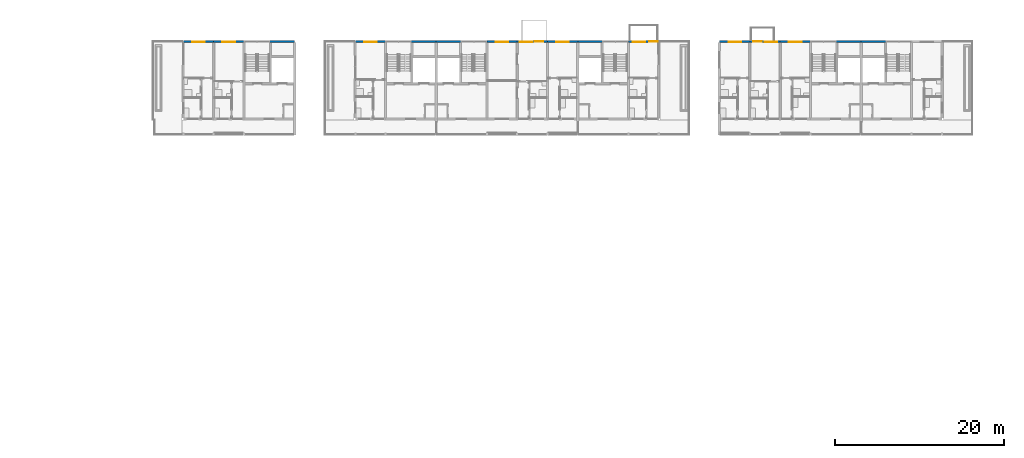
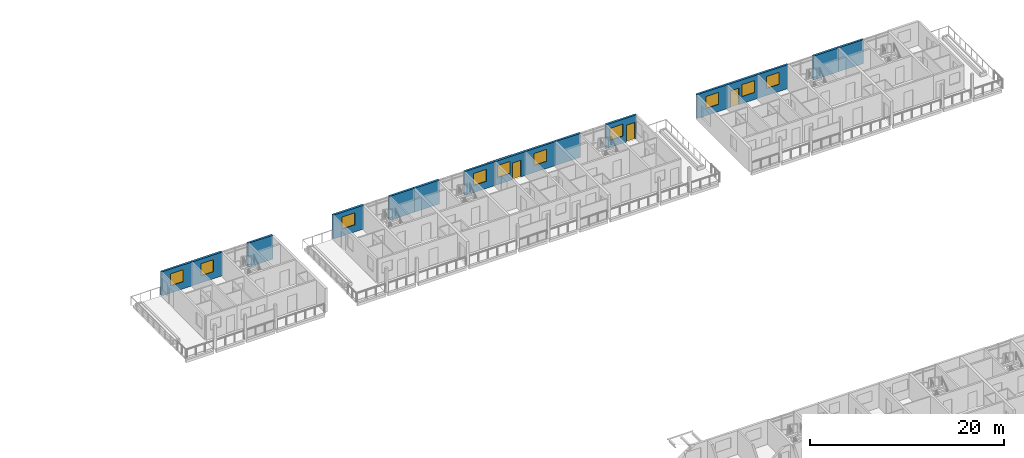
# One storey, part 58 of 94: 16 walls, 10 windows, 3 doors, 13 openings.
"""IFC4 building model written with IfcOpenShell, lengths in metres."""

from ifc_helpers import new_model, si_unit, direction, frame, frame_2d, origin, place, context, subcontext, project, spatial, rectangle, extrude, material, layer, layer_set, type_object, element, fill, save


model = new_model("IFC4")

# Units and contexts
model_context = context("Model", 3, precision=1e-05, world=origin(), true_north=direction((0.0, 1.0)))
body_context = subcontext(model_context, "Body", "Model", "MODEL_VIEW")
ifc_project = project(units=[si_unit("LENGTHUNIT", "METRE"), si_unit("AREAUNIT", "SQUARE_METRE"), si_unit("VOLUMEUNIT", "CUBIC_METRE"), si_unit("PLANEANGLEUNIT", "RADIAN"), si_unit("MASSUNIT", "GRAM", prefix="KILO")], contexts=[model_context])

# Site, building, storey
site_placement = place(None, origin())
site = spatial("IfcSite", under=ifc_project, at=site_placement, CompositionType="ELEMENT")
building_placement = place(site_placement, origin())
building = spatial("IfcBuilding", under=site, at=building_placement, Name="Ridgestep Commons", CompositionType="ELEMENT")
storey_placement = place(building_placement, frame((0.0, 0.0, 24.0)))
storey = spatial("IfcBuildingStorey", under=building, at=storey_placement, Name="L08", CompositionType="ELEMENT", Elevation=24.0)

# Wall, opening, window
ifc_material_1 = material(Name="Precast concrete C40/50", Category="concrete")
ifc_layer = layer(ifc_material_1, 0.25)
ifc_layer_set = layer_set([ifc_layer], Name="North facade panel 250")
wall_type = type_object("IfcWallType", Name="North facade panel 250", PredefinedType="SOLIDWALL", material=ifc_layer_set)
wall_1_placement = place(storey_placement, frame((150.39990234375, 77.125, 0.0), z_axis=(0.0, 0.0, 1.0), x_axis=(1.0, 0.0, 0.0)))
wall_1 = element("IfcWall", 1, at=wall_1_placement, inside=storey, type_object=wall_type, Name="North panel C1T2 L08", PredefinedType="SOLIDWALL", context=body_context, shape_type="SweptSolid", body=[
    extrude(rectangle(XDim=3.60009765625, YDim=0.25, at=frame_2d((1.800048828125, 0.0))), origin(), (0.0, 0.0, 1.0), 3.0),
])
opening_1_placement = place(wall_1_placement, frame((1.050048828125, 0.0, 0.89990234375)))
opening_1 = element("IfcOpeningElement", 2, at=opening_1_placement, cuts=wall_1, Name="Opening W16", PredefinedType="OPENING", context=body_context, shape_type="SweptSolid", body=[
    extrude(rectangle(XDim=1.5, YDim=1.5, at=frame_2d((0.75, 0.75))), frame((0.0, 0.135009765625, 0.0), z_axis=(0.0, -1.0, 0.0), x_axis=(1.0, 0.0, 0.0)), (0.0, 0.0, 1.0), 0.27001953125),
])
ifc_material_2 = material(Name="Aluminium 6063-T6 and glass", Category="aluminium")
window_type = type_object("IfcWindowType", Name="Flat window 1500 x 1500", PartitioningType="DOUBLE_PANEL_VERTICAL", PredefinedType="WINDOW", material=ifc_material_2)
window_1_placement = place(opening_1_placement, origin())
window_1 = element("IfcWindow", 3, at=window_1_placement, inside=storey, type_object=window_type, Name="Window C1-08a 2", OverallHeight=1.5, OverallWidth=1.5, PartitioningType="SINGLE_PANEL", PredefinedType="WINDOW", context=body_context, shape_type="SweptSolid", body=[
    extrude(rectangle(XDim=1.5, YDim=1.5, at=frame_2d((0.75, 0.75))), frame((0.0, -0.02490234375, 0.0), z_axis=(0.0, -1.0, 0.0), x_axis=(1.0, 0.0, 0.0)), (0.0, 0.0, 1.0), 0.06005859375),
])
fill(opening_1, window_1)

wall_2_placement = place(storey_placement, frame((154.0, 77.125, 0.0), z_axis=(0.0, 0.0, 1.0), x_axis=(1.0, 0.0, 0.0)))
wall_2 = element("IfcWall", 4, at=wall_2_placement, inside=storey, type_object=wall_type, Name="North panel C1T3 L08", PredefinedType="SOLIDWALL", context=body_context, shape_type="SweptSolid", body=[
    extrude(rectangle(XDim=3.60009765625, YDim=0.25, at=frame_2d((1.800048828125, 0.0))), origin(), (0.0, 0.0, 1.0), 3.0),
])
opening_2_placement = place(wall_2_placement, frame((1.03759765625, 0.0, 0.89990234375)))
opening_2 = element("IfcOpeningElement", 5, at=opening_2_placement, cuts=wall_2, Name="Opening W16", PredefinedType="OPENING", context=body_context, shape_type="SweptSolid", body=[
    extrude(rectangle(XDim=1.5, YDim=1.5, at=frame_2d((0.75, 0.75))), frame((0.0, 0.135009765625, 0.0), z_axis=(0.0, -1.0, 0.0), x_axis=(1.0, 0.0, 0.0)), (0.0, 0.0, 1.0), 0.27001953125),
])
window_2_placement = place(opening_2_placement, origin())
window_2 = element("IfcWindow", 6, at=window_2_placement, inside=storey, type_object=window_type, Name="Window C1-08b 2", OverallHeight=1.5, OverallWidth=1.5, PartitioningType="SINGLE_PANEL", PredefinedType="WINDOW", context=body_context, shape_type="SweptSolid", body=[
    extrude(rectangle(XDim=1.5, YDim=1.5, at=frame_2d((0.75, 0.75))), frame((0.0, -0.02490234375, 0.0), z_axis=(0.0, -1.0, 0.0), x_axis=(1.0, 0.0, 0.0)), (0.0, 0.0, 1.0), 0.06005859375),
])
fill(opening_2, window_2)

# Wall
wall_3_placement = place(storey_placement, frame((160.625, 77.125, 0.0), z_axis=(0.0, 0.0, 1.0), x_axis=(1.0, 0.0, 0.0)))
element("IfcWall", 7, at=wall_3_placement, inside=storey, type_object=wall_type, Name="North panel C1C L08", PredefinedType="SOLIDWALL", context=body_context, shape_type="SweptSolid", body=[
    extrude(rectangle(XDim=2.97509765625, YDim=0.25, at=frame_2d((1.487548828125, 0.0))), origin(), (0.0, 0.0, 1.0), 3.0),
])

# Wall, opening, window
wall_4_placement = place(storey_placement, frame((170.800048828125, 77.125, 0.0), z_axis=(0.0, 0.0, 1.0), x_axis=(1.0, 0.0, 0.0)))
wall_4 = element("IfcWall", 8, at=wall_4_placement, inside=storey, type_object=wall_type, Name="North panel C2T3 L08", PredefinedType="SOLIDWALL", context=body_context, shape_type="SweptSolid", body=[
    extrude(rectangle(XDim=3.599853515625, YDim=0.25, at=frame_2d((1.7998046875, 0.0))), origin(), (0.0, 0.0, 1.0), 3.0),
])
opening_3_placement = place(wall_4_placement, frame((1.03759765625, 0.0, 0.89990234375)))
opening_3 = element("IfcOpeningElement", 9, at=opening_3_placement, cuts=wall_4, Name="Opening W16", PredefinedType="OPENING", context=body_context, shape_type="SweptSolid", body=[
    extrude(rectangle(XDim=1.5, YDim=1.5, at=frame_2d((0.75, 0.75))), frame((0.0, 0.135009765625, 0.0), z_axis=(0.0, -1.0, 0.0), x_axis=(1.0, 0.0, 0.0)), (0.0, 0.0, 1.0), 0.27001953125),
])
window_3_placement = place(opening_3_placement, origin())
window_3 = element("IfcWindow", 10, at=window_3_placement, inside=storey, type_object=window_type, Name="Window C2-08a 2", OverallHeight=1.5, OverallWidth=1.5, PartitioningType="SINGLE_PANEL", PredefinedType="WINDOW", context=body_context, shape_type="SweptSolid", body=[
    extrude(rectangle(XDim=1.5, YDim=1.5, at=frame_2d((0.75, 0.75))), frame((0.0, -0.02490234375, 0.0), z_axis=(0.0, -1.0, 0.0), x_axis=(1.0, 0.0, 0.0)), (0.0, 0.0, 1.0), 0.06005859375),
])
fill(opening_3, window_3)

# Walls
wall_5_placement = place(storey_placement, frame((177.425048828125, 77.125, 0.0), z_axis=(0.0, 0.0, 1.0), x_axis=(1.0, 0.0, 0.0)))
element("IfcWall", 11, at=wall_5_placement, inside=storey, type_object=wall_type, Name="North panel C2C L08", PredefinedType="SOLIDWALL", context=body_context, shape_type="SweptSolid", body=[
    extrude(rectangle(XDim=2.974853515625, YDim=0.25, at=frame_2d((1.4873046875, 0.0))), origin(), (0.0, 0.0, 1.0), 3.0),
])
wall_6_placement = place(storey_placement, frame((180.39990234375, 77.125, 0.0), z_axis=(0.0, 0.0, 1.0), x_axis=(1.0, 0.0, 0.0)))
element("IfcWall", 12, at=wall_6_placement, inside=storey, type_object=wall_type, Name="North panel C3C L08", PredefinedType="SOLIDWALL", context=body_context, shape_type="SweptSolid", body=[
    extrude(rectangle(XDim=2.97509765625, YDim=0.25, at=frame_2d((1.487548828125, 0.0))), origin(), (0.0, 0.0, 1.0), 3.0),
])

# Wall, opening, window
wall_7_placement = place(storey_placement, frame((186.39990234375, 77.125, 0.0), z_axis=(0.0, 0.0, 1.0), x_axis=(1.0, 0.0, 0.0)))
wall_7 = element("IfcWall", 13, at=wall_7_placement, inside=storey, type_object=wall_type, Name="North panel C3T3 L08", PredefinedType="SOLIDWALL", context=body_context, shape_type="SweptSolid", body=[
    extrude(rectangle(XDim=3.60009765625, YDim=0.25, at=frame_2d((1.800048828125, 0.0))), origin(), (0.0, 0.0, 1.0), 3.0),
])
opening_4_placement = place(wall_7_placement, frame((1.0625, 0.0, 0.89990234375)))
opening_4 = element("IfcOpeningElement", 14, at=opening_4_placement, cuts=wall_7, Name="Opening W16", PredefinedType="OPENING", context=body_context, shape_type="SweptSolid", body=[
    extrude(rectangle(XDim=1.5, YDim=1.5, at=frame_2d((0.75, 0.75))), frame((0.0, 0.135009765625, 0.0), z_axis=(0.0, -1.0, 0.0), x_axis=(1.0, 0.0, 0.0)), (0.0, 0.0, 1.0), 0.27001953125),
])
window_4_placement = place(opening_4_placement, origin())
window_4 = element("IfcWindow", 15, at=window_4_placement, inside=storey, type_object=window_type, Name="Window C3-08b 2", OverallHeight=1.5, OverallWidth=1.5, PartitioningType="SINGLE_PANEL", PredefinedType="WINDOW", context=body_context, shape_type="SweptSolid", body=[
    extrude(rectangle(XDim=1.5, YDim=1.5, at=frame_2d((0.75, 0.75))), frame((0.0, -0.02490234375, 0.0), z_axis=(0.0, -1.0, 0.0), x_axis=(1.0, 0.0, 0.0)), (0.0, 0.0, 1.0), 0.06005859375),
])
fill(opening_4, window_4)

# Wall, openings, door, window
wall_8_placement = place(storey_placement, frame((190.0, 77.125, 0.0), z_axis=(0.0, 0.0, 1.0), x_axis=(1.0, 0.0, 0.0)))
wall_8 = element("IfcWall", 16, at=wall_8_placement, inside=storey, type_object=wall_type, Name="North panel C3T2 L08", PredefinedType="SOLIDWALL", context=body_context, shape_type="SweptSolid", body=[
    extrude(rectangle(XDim=3.60009765625, YDim=0.25, at=frame_2d((1.800048828125, 0.0))), origin(), (0.0, 0.0, 1.0), 3.0),
])
opening_5_placement = place(wall_8_placement, frame((0.285888671875, 0.0, 0.89990234375)))
opening_5 = element("IfcOpeningElement", 17, at=opening_5_placement, cuts=wall_8, Name="Opening W16", PredefinedType="OPENING", context=body_context, shape_type="SweptSolid", body=[
    extrude(rectangle(XDim=1.5, YDim=1.5, at=frame_2d((0.75, 0.75))), frame((0.0, 0.135009765625, 0.0), z_axis=(0.0, -1.0, 0.0), x_axis=(1.0, 0.0, 0.0)), (0.0, 0.0, 1.0), 0.27001953125),
])
opening_6_placement = place(wall_8_placement, frame((2.072021484375, 0.0, 0.0)))
opening_6 = element("IfcOpeningElement", 18, at=opening_6_placement, cuts=wall_8, Name="Opening C3-08b/7", PredefinedType="OPENING", context=body_context, shape_type="SweptSolid", body=[
    extrude(rectangle(XDim=1.0, YDim=2.10009765625, at=frame_2d((0.5, 1.050048828125))), frame((0.0, 0.135009765625, 0.0), z_axis=(0.0, -1.0, 0.0), x_axis=(1.0, 0.0, 0.0)), (0.0, 0.0, 1.0), 0.27001953125),
])
ifc_material_3 = material(Name="Aluminium and glass", Category="aluminium")
door_type = type_object("IfcDoorType", Name="Balcony door 1000 x 2100", OperationType="NOTDEFINED", PredefinedType="DOOR", material=ifc_material_3)
door_1_placement = place(opening_6_placement, origin())
door_1 = element("IfcDoor", 19, at=door_1_placement, inside=storey, type_object=door_type, Name="Balcony door C3-08b/7", OperationType="SINGLE_SWING_LEFT", OverallHeight=2.10009765625, OverallWidth=1.0, PredefinedType="DOOR", context=body_context, shape_type="SweptSolid", body=[
    extrude(rectangle(XDim=1.0, YDim=2.10009765625, at=frame_2d((0.5, 1.050048828125))), frame((0.0, 0.02490234375, 0.0), z_axis=(0.0, -1.0, 0.0), x_axis=(1.0, 0.0, 0.0)), (0.0, 0.0, 1.0), 0.050048828125),
])
fill(opening_6, door_1)
window_5_placement = place(opening_5_placement, origin())
window_5 = element("IfcWindow", 20, at=window_5_placement, inside=storey, type_object=window_type, Name="Window C3-08b 4", OverallHeight=1.5, OverallWidth=1.5, PartitioningType="SINGLE_PANEL", PredefinedType="WINDOW", context=body_context, shape_type="SweptSolid", body=[
    extrude(rectangle(XDim=1.5, YDim=1.5, at=frame_2d((0.75, 0.75))), frame((0.0, -0.02490234375, 0.0), z_axis=(0.0, -1.0, 0.0), x_axis=(1.0, 0.0, 0.0)), (0.0, 0.0, 1.0), 0.06005859375),
])
fill(opening_5, window_5)

# Wall, opening, window
wall_9_placement = place(storey_placement, frame((193.60009765625, 77.125, 0.0), z_axis=(0.0, 0.0, 1.0), x_axis=(1.0, 0.0, 0.0)))
wall_9 = element("IfcWall", 21, at=wall_9_placement, inside=storey, type_object=wall_type, Name="North panel C3T1 L08", PredefinedType="SOLIDWALL", context=body_context, shape_type="SweptSolid", body=[
    extrude(rectangle(XDim=3.599853515625, YDim=0.25, at=frame_2d((1.7998046875, 0.0))), origin(), (0.0, 0.0, 1.0), 3.0),
])
opening_7_placement = place(wall_9_placement, frame((1.02490234375, 0.0, 0.89990234375)))
opening_7 = element("IfcOpeningElement", 22, at=opening_7_placement, cuts=wall_9, Name="Opening W16", PredefinedType="OPENING", context=body_context, shape_type="SweptSolid", body=[
    extrude(rectangle(XDim=1.5, YDim=1.5, at=frame_2d((0.75, 0.75))), frame((0.0, 0.135009765625, 0.0), z_axis=(0.0, -1.0, 0.0), x_axis=(1.0, 0.0, 0.0)), (0.0, 0.0, 1.0), 0.27001953125),
])
window_6_placement = place(opening_7_placement, origin())
window_6 = element("IfcWindow", 23, at=window_6_placement, inside=storey, type_object=window_type, Name="Window C3-08a 2", OverallHeight=1.5, OverallWidth=1.5, PartitioningType="SINGLE_PANEL", PredefinedType="WINDOW", context=body_context, shape_type="SweptSolid", body=[
    extrude(rectangle(XDim=1.5, YDim=1.5, at=frame_2d((0.75, 0.75))), frame((0.0, -0.02490234375, 0.0), z_axis=(0.0, -1.0, 0.0), x_axis=(1.0, 0.0, 0.0)), (0.0, 0.0, 1.0), 0.06005859375),
])
fill(opening_7, window_6)

# Wall
wall_10_placement = place(storey_placement, frame((197.199951171875, 77.125, 0.0), z_axis=(0.0, 0.0, 1.0), x_axis=(1.0, 0.0, 0.0)))
element("IfcWall", 24, at=wall_10_placement, inside=storey, type_object=wall_type, Name="North panel C4C L08", PredefinedType="SOLIDWALL", context=body_context, shape_type="SweptSolid", body=[
    extrude(rectangle(XDim=2.97509765625, YDim=0.25, at=frame_2d((1.487548828125, 0.0))), origin(), (0.0, 0.0, 1.0), 3.0),
])

# Wall, openings, door, window
wall_11_placement = place(storey_placement, frame((203.199951171875, 77.125, 0.0), z_axis=(0.0, 0.0, 1.0), x_axis=(1.0, 0.0, 0.0)))
wall_11 = element("IfcWall", 25, at=wall_11_placement, inside=storey, type_object=wall_type, Name="North panel C4T3 L08", PredefinedType="SOLIDWALL", context=body_context, shape_type="SweptSolid", body=[
    extrude(rectangle(XDim=3.60009765625, YDim=0.25, at=frame_2d((1.800048828125, 0.0))), origin(), (0.0, 0.0, 1.0), 3.0),
])
opening_8_placement = place(wall_11_placement, frame((0.487548828125, 0.0, 0.89990234375)))
opening_8 = element("IfcOpeningElement", 26, at=opening_8_placement, cuts=wall_11, Name="Opening W16", PredefinedType="OPENING", context=body_context, shape_type="SweptSolid", body=[
    extrude(rectangle(XDim=1.5, YDim=1.5, at=frame_2d((0.75, 0.75))), frame((0.0, 0.135009765625, 0.0), z_axis=(0.0, -1.0, 0.0), x_axis=(1.0, 0.0, 0.0)), (0.0, 0.0, 1.0), 0.27001953125),
])
opening_9_placement = place(wall_11_placement, frame((2.449951171875, 0.0, 0.0)))
opening_9 = element("IfcOpeningElement", 27, at=opening_9_placement, cuts=wall_11, Name="Opening C4-08a/6", PredefinedType="OPENING", context=body_context, shape_type="SweptSolid", body=[
    extrude(rectangle(XDim=1.0, YDim=2.10009765625, at=frame_2d((0.5, 1.050048828125))), frame((0.0, 0.135009765625, 0.0), z_axis=(0.0, -1.0, 0.0), x_axis=(1.0, 0.0, 0.0)), (0.0, 0.0, 1.0), 0.27001953125),
])
door_2_placement = place(opening_9_placement, origin())
door_2 = element("IfcDoor", 28, at=door_2_placement, inside=storey, type_object=door_type, Name="Balcony door C4-08a/6", OperationType="SINGLE_SWING_LEFT", OverallHeight=2.10009765625, OverallWidth=1.0, PredefinedType="DOOR", context=body_context, shape_type="SweptSolid", body=[
    extrude(rectangle(XDim=1.0, YDim=2.10009765625, at=frame_2d((0.5, 1.050048828125))), frame((0.0, 0.02490234375, 0.0), z_axis=(0.0, -1.0, 0.0), x_axis=(1.0, 0.0, 0.0)), (0.0, 0.0, 1.0), 0.050048828125),
])
fill(opening_9, door_2)
window_7_placement = place(opening_8_placement, origin())
window_7 = element("IfcWindow", 29, at=window_7_placement, inside=storey, type_object=window_type, Name="Window C4-08a 2", OverallHeight=1.5, OverallWidth=1.5, PartitioningType="SINGLE_PANEL", PredefinedType="WINDOW", context=body_context, shape_type="SweptSolid", body=[
    extrude(rectangle(XDim=1.5, YDim=1.5, at=frame_2d((0.75, 0.75))), frame((0.0, -0.02490234375, 0.0), z_axis=(0.0, -1.0, 0.0), x_axis=(1.0, 0.0, 0.0)), (0.0, 0.0, 1.0), 0.06005859375),
])
fill(opening_8, window_7)

# Wall, opening, window
wall_12_placement = place(storey_placement, frame((214.0, 77.125, 0.0), z_axis=(0.0, 0.0, 1.0), x_axis=(1.0, 0.0, 0.0)))
wall_12 = element("IfcWall", 30, at=wall_12_placement, inside=storey, type_object=wall_type, Name="North panel C5T1 L08", PredefinedType="SOLIDWALL", context=body_context, shape_type="SweptSolid", body=[
    extrude(rectangle(XDim=3.60009765625, YDim=0.25, at=frame_2d((1.800048828125, 0.0))), origin(), (0.0, 0.0, 1.0), 3.0),
])
opening_10_placement = place(wall_12_placement, frame((1.074951171875, 0.0, 0.89990234375)))
opening_10 = element("IfcOpeningElement", 31, at=opening_10_placement, cuts=wall_12, Name="Opening W16", PredefinedType="OPENING", context=body_context, shape_type="SweptSolid", body=[
    extrude(rectangle(XDim=1.5, YDim=1.5, at=frame_2d((0.75, 0.75))), frame((0.0, 0.135009765625, 0.0), z_axis=(0.0, -1.0, 0.0), x_axis=(1.0, 0.0, 0.0)), (0.0, 0.0, 1.0), 0.27001953125),
])
window_8_placement = place(opening_10_placement, origin())
window_8 = element("IfcWindow", 32, at=window_8_placement, inside=storey, type_object=window_type, Name="Window C5-08a 2", OverallHeight=1.5, OverallWidth=1.5, PartitioningType="SINGLE_PANEL", PredefinedType="WINDOW", context=body_context, shape_type="SweptSolid", body=[
    extrude(rectangle(XDim=1.5, YDim=1.5, at=frame_2d((0.75, 0.75))), frame((0.0, -0.02490234375, 0.0), z_axis=(0.0, -1.0, 0.0), x_axis=(1.0, 0.0, 0.0)), (0.0, 0.0, 1.0), 0.06005859375),
])
fill(opening_10, window_8)

# Wall, openings, door, window
wall_13_placement = place(storey_placement, frame((217.60009765625, 77.125, 0.0), z_axis=(0.0, 0.0, 1.0), x_axis=(1.0, 0.0, 0.0)))
wall_13 = element("IfcWall", 33, at=wall_13_placement, inside=storey, type_object=wall_type, Name="North panel C5T2 L08", PredefinedType="SOLIDWALL", context=body_context, shape_type="SweptSolid", body=[
    extrude(rectangle(XDim=3.599853515625, YDim=0.25, at=frame_2d((1.7998046875, 0.0))), origin(), (0.0, 0.0, 1.0), 3.0),
])
opening_11_placement = place(wall_13_placement, frame((1.74853515625, 0.0, 0.89990234375)))
opening_11 = element("IfcOpeningElement", 34, at=opening_11_placement, cuts=wall_13, Name="Opening W16", PredefinedType="OPENING", context=body_context, shape_type="SweptSolid", body=[
    extrude(rectangle(XDim=1.5, YDim=1.5, at=frame_2d((0.75, 0.75))), frame((0.0, 0.135009765625, 0.0), z_axis=(0.0, -1.0, 0.0), x_axis=(1.0, 0.0, 0.0)), (0.0, 0.0, 1.0), 0.27001953125),
])
opening_12_placement = place(wall_13_placement, frame((0.39697265625, 0.0, 0.0)))
opening_12 = element("IfcOpeningElement", 35, at=opening_12_placement, cuts=wall_13, Name="Opening C5-08b/5", PredefinedType="OPENING", context=body_context, shape_type="SweptSolid", body=[
    extrude(rectangle(XDim=1.0, YDim=2.10009765625, at=frame_2d((0.5, 1.050048828125))), frame((0.0, 0.135009765625, 0.0), z_axis=(0.0, -1.0, 0.0), x_axis=(1.0, 0.0, 0.0)), (0.0, 0.0, 1.0), 0.27001953125),
])
door_3_placement = place(opening_12_placement, origin())
door_3 = element("IfcDoor", 36, at=door_3_placement, inside=storey, type_object=door_type, Name="Balcony door C5-08b/5", OperationType="SINGLE_SWING_RIGHT", OverallHeight=2.10009765625, OverallWidth=1.0, PredefinedType="DOOR", context=body_context, shape_type="SweptSolid", body=[
    extrude(rectangle(XDim=1.0, YDim=2.10009765625, at=frame_2d((0.5, 1.050048828125))), frame((0.0, 0.02490234375, 0.0), z_axis=(0.0, -1.0, 0.0), x_axis=(1.0, 0.0, 0.0)), (0.0, 0.0, 1.0), 0.050048828125),
])
fill(opening_12, door_3)
window_9_placement = place(opening_11_placement, origin())
window_9 = element("IfcWindow", 37, at=window_9_placement, inside=storey, type_object=window_type, Name="Window C5-08b 2", OverallHeight=1.5, OverallWidth=1.5, PartitioningType="SINGLE_PANEL", PredefinedType="WINDOW", context=body_context, shape_type="SweptSolid", body=[
    extrude(rectangle(XDim=1.5, YDim=1.5, at=frame_2d((0.75, 0.75))), frame((0.0, -0.02490234375, 0.0), z_axis=(0.0, -1.0, 0.0), x_axis=(1.0, 0.0, 0.0)), (0.0, 0.0, 1.0), 0.06005859375),
])
fill(opening_11, window_9)

# Wall, opening, window
wall_14_placement = place(storey_placement, frame((221.199951171875, 77.125, 0.0), z_axis=(0.0, 0.0, 1.0), x_axis=(1.0, 0.0, 0.0)))
wall_14 = element("IfcWall", 38, at=wall_14_placement, inside=storey, type_object=wall_type, Name="North panel C5T3 L08", PredefinedType="SOLIDWALL", context=body_context, shape_type="SweptSolid", body=[
    extrude(rectangle(XDim=3.60009765625, YDim=0.25, at=frame_2d((1.800048828125, 0.0))), origin(), (0.0, 0.0, 1.0), 3.0),
])
opening_13_placement = place(wall_14_placement, frame((1.03759765625, 0.0, 0.89990234375)))
opening_13 = element("IfcOpeningElement", 39, at=opening_13_placement, cuts=wall_14, Name="Opening W16", PredefinedType="OPENING", context=body_context, shape_type="SweptSolid", body=[
    extrude(rectangle(XDim=1.5, YDim=1.5, at=frame_2d((0.75, 0.75))), frame((0.0, 0.135009765625, 0.0), z_axis=(0.0, -1.0, 0.0), x_axis=(1.0, 0.0, 0.0)), (0.0, 0.0, 1.0), 0.27001953125),
])
window_10_placement = place(opening_13_placement, origin())
window_10 = element("IfcWindow", 40, at=window_10_placement, inside=storey, type_object=window_type, Name="Window C5-08c 2", OverallHeight=1.5, OverallWidth=1.5, PartitioningType="SINGLE_PANEL", PredefinedType="WINDOW", context=body_context, shape_type="SweptSolid", body=[
    extrude(rectangle(XDim=1.5, YDim=1.5, at=frame_2d((0.75, 0.75))), frame((0.0, -0.02490234375, 0.0), z_axis=(0.0, -1.0, 0.0), x_axis=(1.0, 0.0, 0.0)), (0.0, 0.0, 1.0), 0.06005859375),
])
fill(opening_13, window_10)

# Walls
wall_15_placement = place(storey_placement, frame((227.824951171875, 77.125, 0.0), z_axis=(0.0, 0.0, 1.0), x_axis=(1.0, 0.0, 0.0)))
element("IfcWall", 41, at=wall_15_placement, inside=storey, type_object=wall_type, Name="North panel C5C L08", PredefinedType="SOLIDWALL", context=body_context, shape_type="SweptSolid", body=[
    extrude(rectangle(XDim=2.97509765625, YDim=0.25, at=frame_2d((1.487548828125, 0.0))), origin(), (0.0, 0.0, 1.0), 3.0),
])
wall_16_placement = place(storey_placement, frame((230.800048828125, 77.125, 0.0), z_axis=(0.0, 0.0, 1.0), x_axis=(1.0, 0.0, 0.0)))
element("IfcWall", 42, at=wall_16_placement, inside=storey, type_object=wall_type, Name="North panel C6C L08", PredefinedType="SOLIDWALL", context=body_context, shape_type="SweptSolid", body=[
    extrude(rectangle(XDim=2.974853515625, YDim=0.25, at=frame_2d((1.4873046875, 0.0))), origin(), (0.0, 0.0, 1.0), 3.0),
])

save(model, "model.ifc")
